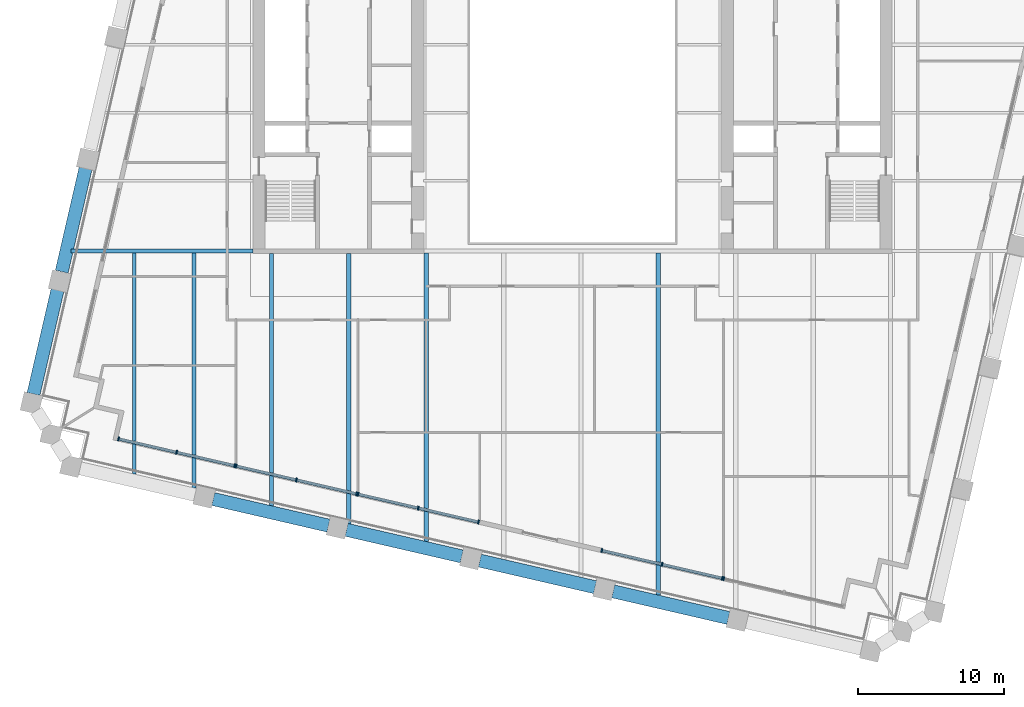
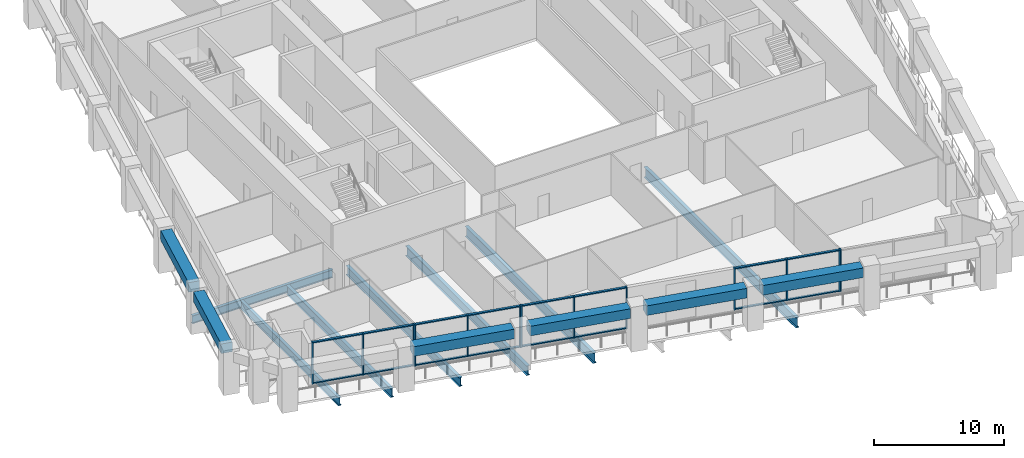
# One storey, part 2 of 12: 29 members, 13 beams, 5 elements without a shape of their own.
"""IFC4 building model written with IfcOpenShell, lengths in metres."""

import ifcopenshell
import ifcopenshell.guid

model = None  # the IFC model being written
_history = None  # IfcOwnerHistory: only IFC2X3 demands one
_inside = {}  # id of a spatial element -> (the spatial element, [elements in it])
_under = {}  # id of a project, library or spatial element -> (it, [spatial elements below it])
_declared = {}  # id of a project -> (the project, [libraries it declares])
_typed = {}  # id of a type object -> (the type object, [elements of that type])
_made_of = {}  # id of a material, layer set ... -> (it, [elements and type objects made of it])


def new_model(schema):
    """Start an empty IFC model of exactly this schema.

    Asked for "IFC4X3", IfcOpenShell would pick the latest addendum, in which some entities
    have other attributes; the version numbers below select the first issue.
    IFC2X3 requires an IfcOwnerHistory on every rooted entity: one is made here for all.
    """
    global model, _history
    if schema == "IFC4X3":
        model = ifcopenshell.file(schema_version=(4, 3, 0, 0))
    else:
        model = ifcopenshell.file(schema=schema)
    _inside.clear()
    _under.clear()
    _declared.clear()
    _typed.clear()
    _made_of.clear()
    _history = None
    if model.schema == "IFC2X3":
        org = make("IfcOrganization", Name="unknown")
        user = make(
            "IfcPersonAndOrganization",
            ThePerson=make("IfcPerson", FamilyName="unknown"),
            TheOrganization=org,
        )
        app = make(
            "IfcApplication",
            ApplicationDeveloper=org,
            Version="unknown",
            ApplicationFullName="unknown",
            ApplicationIdentifier="unknown",
        )
        _history = make(
            "IfcOwnerHistory",
            OwningUser=user,
            OwningApplication=app,
            ChangeAction="ADDED",
            CreationDate=0,
        )
    return model


def make(cls, **values):
    """One entity of the class cls with the attributes given. An attribute that is None is left unset."""
    return model.create_entity(
        cls, **{name: value for name, value in values.items() if value is not None}
    )


def rooted(cls, **values):
    """An entity with a GlobalId (a new one), such as an element, a storey or a relation."""
    return make(cls, GlobalId=ifcopenshell.guid.new(), OwnerHistory=_history, **values)


def si_unit(unit_type, name, prefix=None):
    """IfcSIUnit, for example si_unit("LENGTHUNIT", "METRE", prefix="MILLI")."""
    return make("IfcSIUnit", UnitType=unit_type, Prefix=prefix, Name=name)


def assignment(units):
    """IfcUnitAssignment: the units of a project."""
    return None if units is None else make("IfcUnitAssignment", Units=units)


def point(xyz):
    """IfcCartesianPoint."""
    return None if xyz is None else make("IfcCartesianPoint", Coordinates=xyz)


def direction(xyz):
    """IfcDirection."""
    return None if xyz is None else make("IfcDirection", DirectionRatios=xyz)


def frame(location, z_axis=None, x_axis=None):
    """IfcAxis2Placement3D, a coordinate frame: its origin and axes. An axis left out is left unset."""
    return make(
        "IfcAxis2Placement3D",
        Location=point(location),
        Axis=direction(z_axis),
        RefDirection=direction(x_axis),
    )


def frame_2d(location, x_axis=None):
    """IfcAxis2Placement2D, a coordinate frame in the plane: its origin and x axis."""
    return make(
        "IfcAxis2Placement2D", Location=point(location), RefDirection=direction(x_axis)
    )


def origin():
    """The frame at (0, 0, 0) with its axes left unset."""
    return frame((0.0, 0.0, 0.0))


def origin_2d():
    """The frame at (0, 0) in the plane with its x axis left unset."""
    return frame_2d((0.0, 0.0))


def place(relative_to, where):
    """IfcLocalPlacement: puts the frame where relative to a parent placement (None: the world)."""
    return make(
        "IfcLocalPlacement", PlacementRelTo=relative_to, RelativePlacement=where
    )


def context(
    kind, dimensions, precision=None, world=None, true_north=None, identifier=None
):
    """IfcGeometricRepresentationContext, for example the 3D "Model" context."""
    return make(
        "IfcGeometricRepresentationContext",
        ContextIdentifier=identifier,
        ContextType=kind,
        CoordinateSpaceDimension=dimensions,
        Precision=precision,
        WorldCoordinateSystem=world,
        TrueNorth=true_north,
    )


def subcontext(parent, identifier, kind, view, scale=None):
    """IfcGeometricRepresentationSubContext, for example "Body" below "Model"."""
    return make(
        "IfcGeometricRepresentationSubContext",
        ContextIdentifier=identifier,
        ContextType=kind,
        ParentContext=parent,
        TargetScale=scale,
        TargetView=view,
    )


def project(units=None, contexts=None):
    """IfcProject with its units and contexts."""
    return rooted(
        "IfcProject",
        Name="project",
        RepresentationContexts=contexts,
        UnitsInContext=assignment(units),
    )


def spatial(cls, under=None, at=None, **own):
    """A site, building, storey or space (cls), placed at a placement, below another one or the project."""
    s = rooted(cls, ObjectPlacement=at, **own)
    if under is not None:
        _under.setdefault(under.id(), (under, []))[1].append(s)
    return s


def profile(cls, at=None, kind="AREA", **sizes):
    """A parametric profile (cls). Its sizes go by their IFC names, for example OverallWidth=200.0."""
    return make(cls, ProfileType=kind, Position=at, **sizes)


def rectangle(**sizes):
    """IfcRectangleProfileDef."""
    return profile("IfcRectangleProfileDef", **sizes)


def i_section(**sizes):
    """IfcIShapeProfileDef."""
    return profile("IfcIShapeProfileDef", **sizes)


def extrude(swept, where, along, depth):
    """IfcExtrudedAreaSolid: the profile swept, set in the frame where, extruded along a direction by depth."""
    return make(
        "IfcExtrudedAreaSolid",
        SweptArea=swept,
        Position=where,
        ExtrudedDirection=direction(along),
        Depth=depth,
    )


def shape(context_of_items, identifier, shape_type, items):
    """IfcShapeRepresentation: the items that make up one representation, for example the "Body"."""
    return make(
        "IfcShapeRepresentation",
        ContextOfItems=context_of_items,
        RepresentationIdentifier=identifier,
        RepresentationType=shape_type,
        Items=items,
    )


def material(Name=None, Category=None):
    """IfcMaterial."""
    return make("IfcMaterial", Name=Name, Category=Category)


def material_profile(
    of_material, cross_section, Name=None, Category=None, Priority=None
):
    """IfcMaterialProfile: a cross section and its material."""
    return make(
        "IfcMaterialProfile",
        Name=Name,
        Material=of_material,
        Profile=cross_section,
        Priority=Priority,
        Category=Category,
    )


def profile_set(profiles, Name=None, composite=None):
    """IfcMaterialProfileSet."""
    return make(
        "IfcMaterialProfileSet",
        Name=Name,
        MaterialProfiles=profiles,
        CompositeProfile=composite,
    )


def made_of(thing, what):
    """Note that an element or type object is made of a material, layer set ...; save() writes the relation."""
    if what is not None:
        _made_of.setdefault(what.id(), (what, []))[1].append(thing)
    return thing


def type_object(cls, material=None, **own):
    """A type object (cls), such as IfcWallType, which elements share."""
    return made_of(rooted(cls, **own), material)


def element(
    cls,
    number,
    at=None,
    inside=None,
    cuts=None,
    type_object=None,
    material=None,
    context=None,
    identifier="Body",
    shape_type=None,
    held_by="IfcProductDefinitionShape",
    body=None,
    shapes=None,
    **own,
):
    """One element of the class cls, such as IfcWall. Its Tag is "e" and its number.

    at: its placement. inside: the storey or other place that contains it. cuts: it is an
    opening in that element (IfcRelVoidsElement). A single representation is given by context,
    identifier, shape_type and body (its items); several are given by shapes. held_by: the class
    of the entity that holds the representations. save() writes the other relations.
    """
    e = rooted(cls, Tag="e%d" % number, ObjectPlacement=at, **own)
    if body is not None:
        shapes = [shape(context, identifier, shape_type, body)]
    if shapes is not None:
        e.Representation = make(held_by, Representations=shapes)
    if inside is not None:
        _inside.setdefault(inside.id(), (inside, []))[1].append(e)
    if cuts is not None:
        rooted(
            "IfcRelVoidsElement", RelatingBuildingElement=cuts, RelatedOpeningElement=e
        )
    if type_object is not None:
        _typed.setdefault(type_object.id(), (type_object, []))[1].append(e)
    return made_of(e, material)


def aggregate(whole, parts):
    """IfcRelAggregates: a whole, such as a stair, and the parts it consists of."""
    return rooted("IfcRelAggregates", RelatingObject=whole, RelatedObjects=parts)


def save(model, path):
    """Write the relations noted so far, then the file.

    IfcRelAggregates (storeys below a building ...), IfcRelContainedInSpatialStructure (elements
    in a storey), IfcRelDefinesByType, IfcRelAssociatesMaterial and IfcRelDeclares: one each for
    every whole, place, type object, material and project.
    """
    for whole, parts in _under.values():
        aggregate(whole, parts)
    for where, things in _inside.values():
        rooted(
            "IfcRelContainedInSpatialStructure",
            RelatedElements=things,
            RelatingStructure=where,
        )
    for kind, things in _typed.values():
        rooted("IfcRelDefinesByType", RelatedObjects=things, RelatingType=kind)
    for what, things in _made_of.values():
        rooted("IfcRelAssociatesMaterial", RelatedObjects=things, RelatingMaterial=what)
    for by, libraries in _declared.values():
        rooted("IfcRelDeclares", RelatingContext=by, RelatedDefinitions=libraries)
    model.write(path)


model = new_model("IFC4")

# Units and contexts
model_context = context("Model", 3, precision=1e-05, world=origin(), true_north=direction((0.0, 1.0)))
body_context = subcontext(model_context, "Body", "Model", "MODEL_VIEW")
ifc_project = project(units=[si_unit("LENGTHUNIT", "METRE"), si_unit("AREAUNIT", "SQUARE_METRE"), si_unit("VOLUMEUNIT", "CUBIC_METRE"), si_unit("PLANEANGLEUNIT", "RADIAN"), si_unit("MASSUNIT", "GRAM", prefix="KILO")], contexts=[model_context])

# Site, building, storey
site_placement = place(None, origin())
site = spatial("IfcSite", under=ifc_project, at=site_placement, CompositionType="ELEMENT")
building_placement = place(site_placement, origin())
building = spatial("IfcBuilding", under=site, at=building_placement, Name="Ogive Exchange Tower", CompositionType="ELEMENT")
storey_placement = place(building_placement, frame((0.0, 0.0, 156.0)))
storey = spatial("IfcBuildingStorey", under=building, at=storey_placement, Name="L34", CompositionType="ELEMENT", Elevation=156.0)

# Curtain wall, members
ifc_material_1 = material(Name="Anodised aluminium and clear glass", Category="aluminium")
curtain_wall_type = type_object("IfcCurtainWallType", Name="Executive floor glazing", PredefinedType="NOTDEFINED", material=ifc_material_1)
curtain_wall_1_placement = place(storey_placement, origin())
curtain_wall_1 = element("IfcCurtainWall", 1, at=curtain_wall_1_placement, inside=storey, type_object=curtain_wall_type, Name="Executive floor glazing run G1", PredefinedType="NOTDEFINED")
ifc_material_2 = material(Name="Anodised aluminium", Category="aluminium")
ifc_material_profile_1 = material_profile(ifc_material_2, rectangle(XDim=0.280029296875, YDim=0.10009765625, at=origin_2d()), Name="AL 100x280")
ifc_profile_set_1 = profile_set([ifc_material_profile_1], Name="Anodised aluminium")
member_type_1 = type_object("IfcMemberType", Name="Executive floor glazing mullion 100 x 280", PredefinedType="MULLION", material=ifc_profile_set_1)
member_1_placement = place(storey_placement, frame((-31.02880859375, -15.43212890625, 0.0), z_axis=(0.0, 0.0, 1.0), x_axis=(0.224947146898, 0.974370966882, 0.0)))
member_1 = element("IfcMember", 2, at=member_1_placement, type_object=member_type_1, Name="G1 mullion 1", PredefinedType="MULLION", context=body_context, shape_type="SweptSolid", body=[
    extrude(rectangle(XDim=0.280029296875, YDim=0.10009765625, at=origin_2d()), origin(), (0.0, 0.0, 1.0), 3.89990234375),
])
member_2_placement = place(storey_placement, frame((-27.058349609375, -16.348876953125, 0.0), z_axis=(0.0, 0.0, 1.0), x_axis=(0.224947146898, 0.974370966882, 0.0)))
member_2 = element("IfcMember", 3, at=member_2_placement, type_object=member_type_1, Name="G1 mullion 2", PredefinedType="MULLION", context=body_context, shape_type="SweptSolid", body=[
    extrude(rectangle(XDim=0.280029296875, YDim=0.10009765625, at=origin_2d()), origin(), (0.0, 0.0, 1.0), 3.89990234375),
])
member_3_placement = place(storey_placement, frame((-23.087890625, -17.265380859375, 0.0), z_axis=(0.0, 0.0, 1.0), x_axis=(0.224947146898, 0.974370966882, 0.0)))
member_3 = element("IfcMember", 4, at=member_3_placement, type_object=member_type_1, Name="G1 mullion 3", PredefinedType="MULLION", context=body_context, shape_type="SweptSolid", body=[
    extrude(rectangle(XDim=0.280029296875, YDim=0.10009765625, at=origin_2d()), origin(), (0.0, 0.0, 1.0), 3.89990234375),
])

curtain_wall_2_placement = place(storey_placement, origin())
curtain_wall_2 = element("IfcCurtainWall", 5, at=curtain_wall_2_placement, inside=storey, type_object=curtain_wall_type, Name="Executive floor glazing run G2", PredefinedType="NOTDEFINED")
member_4_placement = place(storey_placement, frame((-22.990478515625, -17.287841796875, 0.0), z_axis=(0.0, 0.0, 1.0), x_axis=(0.224957737445, 0.974368521846, 0.0)))
member_4 = element("IfcMember", 6, at=member_4_placement, type_object=member_type_1, Name="G2 mullion 1", PredefinedType="MULLION", context=body_context, shape_type="SweptSolid", body=[
    extrude(rectangle(XDim=0.280029296875, YDim=0.10009765625, at=origin_2d()), origin(), (0.0, 0.0, 1.0), 3.89990234375),
])
member_5_placement = place(storey_placement, frame((-18.87353515625, -18.23828125, 0.0), z_axis=(0.0, 0.0, 1.0), x_axis=(0.224957737445, 0.974368521846, 0.0)))
member_5 = element("IfcMember", 7, at=member_5_placement, type_object=member_type_1, Name="G2 mullion 2", PredefinedType="MULLION", context=body_context, shape_type="SweptSolid", body=[
    extrude(rectangle(XDim=0.280029296875, YDim=0.10009765625, at=origin_2d()), origin(), (0.0, 0.0, 1.0), 3.89990234375),
])
member_6_placement = place(storey_placement, frame((-14.7568359375, -19.18896484375, 0.0), z_axis=(0.0, 0.0, 1.0), x_axis=(0.224957737445, 0.974368521846, 0.0)))
member_6 = element("IfcMember", 8, at=member_6_placement, type_object=member_type_1, Name="G2 mullion 3", PredefinedType="MULLION", context=body_context, shape_type="SweptSolid", body=[
    extrude(rectangle(XDim=0.280029296875, YDim=0.10009765625, at=origin_2d()), origin(), (0.0, 0.0, 1.0), 3.89990234375),
])

curtain_wall_3_placement = place(storey_placement, origin())
curtain_wall_3 = element("IfcCurtainWall", 9, at=curtain_wall_3_placement, inside=storey, type_object=curtain_wall_type, Name="Executive floor glazing run G3", PredefinedType="NOTDEFINED")
member_7_placement = place(storey_placement, frame((-14.659423828125, -19.21142578125, 0.0), z_axis=(0.0, 0.0, 1.0), x_axis=(0.224949196986, 0.974370493588, 0.0)))
member_7 = element("IfcMember", 10, at=member_7_placement, type_object=member_type_1, Name="G3 mullion 1", PredefinedType="MULLION", context=body_context, shape_type="SweptSolid", body=[
    extrude(rectangle(XDim=0.280029296875, YDim=0.10009765625, at=origin_2d()), origin(), (0.0, 0.0, 1.0), 3.89990234375),
])
member_8_placement = place(storey_placement, frame((-10.542724609375, -20.161865234375, 0.0), z_axis=(0.0, 0.0, 1.0), x_axis=(0.224949196986, 0.974370493588, 0.0)))
member_8 = element("IfcMember", 11, at=member_8_placement, type_object=member_type_1, Name="G3 mullion 2", PredefinedType="MULLION", context=body_context, shape_type="SweptSolid", body=[
    extrude(rectangle(XDim=0.280029296875, YDim=0.10009765625, at=origin_2d()), origin(), (0.0, 0.0, 1.0), 3.89990234375),
])
member_9_placement = place(storey_placement, frame((-6.426025390625, -21.112060546875, 0.0), z_axis=(0.0, 0.0, 1.0), x_axis=(0.224949196986, 0.974370493588, 0.0)))
member_9 = element("IfcMember", 12, at=member_9_placement, type_object=member_type_1, Name="G3 mullion 3", PredefinedType="MULLION", context=body_context, shape_type="SweptSolid", body=[
    extrude(rectangle(XDim=0.280029296875, YDim=0.10009765625, at=origin_2d()), origin(), (0.0, 0.0, 1.0), 3.89990234375),
])

curtain_wall_4_placement = place(storey_placement, origin())
curtain_wall_4 = element("IfcCurtainWall", 13, at=curtain_wall_4_placement, inside=storey, type_object=curtain_wall_type, Name="Executive floor glazing run G5", PredefinedType="NOTDEFINED")
member_10_placement = place(storey_placement, frame((2.002197265625, -23.057861328125, 0.0), z_axis=(0.0, 0.0, 1.0), x_axis=(0.224957737445, 0.974368521846, 0.0)))
member_10 = element("IfcMember", 14, at=member_10_placement, type_object=member_type_1, Name="G5 mullion 1", PredefinedType="MULLION", context=body_context, shape_type="SweptSolid", body=[
    extrude(rectangle(XDim=0.280029296875, YDim=0.10009765625, at=origin_2d()), origin(), (0.0, 0.0, 1.0), 3.89990234375),
])
member_11_placement = place(storey_placement, frame((6.118896484375, -24.00830078125, 0.0), z_axis=(0.0, 0.0, 1.0), x_axis=(0.224957737445, 0.974368521846, 0.0)))
member_11 = element("IfcMember", 15, at=member_11_placement, type_object=member_type_1, Name="G5 mullion 2", PredefinedType="MULLION", context=body_context, shape_type="SweptSolid", body=[
    extrude(rectangle(XDim=0.280029296875, YDim=0.10009765625, at=origin_2d()), origin(), (0.0, 0.0, 1.0), 3.89990234375),
])
member_12_placement = place(storey_placement, frame((10.235595703125, -24.958740234375, 0.0), z_axis=(0.0, 0.0, 1.0), x_axis=(0.224957737445, 0.974368521846, 0.0)))
member_12 = element("IfcMember", 16, at=member_12_placement, type_object=member_type_1, Name="G5 mullion 3", PredefinedType="MULLION", context=body_context, shape_type="SweptSolid", body=[
    extrude(rectangle(XDim=0.280029296875, YDim=0.10009765625, at=origin_2d()), origin(), (0.0, 0.0, 1.0), 3.89990234375),
])

# Curtain wall, member
curtain_wall_5_placement = place(storey_placement, origin())
curtain_wall_5 = element("IfcCurtainWall", 17, at=curtain_wall_5_placement, inside=storey, type_object=curtain_wall_type, Name="Executive floor glazing run G6", PredefinedType="NOTDEFINED")
member_13_placement = place(storey_placement, frame((10.3330078125, -24.9814453125, 0.0), z_axis=(0.0, 0.0, 1.0), x_axis=(0.224949196986, 0.974370493588, 0.0)))
member_13 = element("IfcMember", 18, at=member_13_placement, type_object=member_type_1, Name="G6 mullion 1", PredefinedType="MULLION", context=body_context, shape_type="SweptSolid", body=[
    extrude(rectangle(XDim=0.280029296875, YDim=0.10009765625, at=origin_2d()), origin(), (0.0, 0.0, 1.0), 3.89990234375),
])
aggregate(curtain_wall_5, [member_13])

# Member
ifc_material_profile_2 = material_profile(ifc_material_2, rectangle(XDim=0.199951171875, YDim=0.10009765625, at=origin_2d()), Name="AL 100x200")
ifc_profile_set_2 = profile_set([ifc_material_profile_2], Name="Anodised aluminium")
member_type_2 = type_object("IfcMemberType", Name="Executive floor glazing transom 100 x 200", PredefinedType="USERDEFINED", material=ifc_profile_set_2)
member_14_placement = place(storey_placement, frame((-30.980224609375, -15.443359375, 0.050048828125), z_axis=(0.974363238721, -0.224980619228, 0.0), x_axis=(0.224980619228, 0.974363238721, 0.0)))
member_14 = element("IfcMember", 19, at=member_14_placement, type_object=member_type_2, Name="G1 transom 1.1", ObjectType="TRANSOM", PredefinedType="USERDEFINED", context=body_context, shape_type="SweptSolid", body=[
    extrude(rectangle(XDim=0.199951171875, YDim=0.10009765625, at=origin_2d()), origin(), (0.0, 0.0, 1.0), 3.974853515625),
])

member_15_placement = place(storey_placement, frame((-30.980224609375, -15.443359375, 3.85009765625), z_axis=(0.974363238721, -0.224980619228, 0.0), x_axis=(0.224980619228, 0.974363238721, 0.0)))
member_15 = element("IfcMember", 20, at=member_15_placement, type_object=member_type_2, Name="G1 transom 1.2", ObjectType="TRANSOM", PredefinedType="USERDEFINED", context=body_context, shape_type="SweptSolid", body=[
    extrude(rectangle(XDim=0.199951171875, YDim=0.10009765625, at=origin_2d()), origin(), (0.0, 0.0, 1.0), 3.974853515625),
])

member_16_placement = place(storey_placement, frame((-27.009521484375, -16.360107421875, 0.050048828125), z_axis=(0.974376701165, -0.224922307089, 0.0), x_axis=(0.224922307089, 0.974376701165, 0.0)))
member_16 = element("IfcMember", 21, at=member_16_placement, type_object=member_type_2, Name="G1 transom 2.1", ObjectType="TRANSOM", PredefinedType="USERDEFINED", context=body_context, shape_type="SweptSolid", body=[
    extrude(rectangle(XDim=0.199951171875, YDim=0.10009765625, at=origin_2d()), origin(), (0.0, 0.0, 1.0), 3.974853515625),
])

member_17_placement = place(storey_placement, frame((-27.009521484375, -16.360107421875, 3.85009765625), z_axis=(0.974376701165, -0.224922307089, 0.0), x_axis=(0.224922307089, 0.974376701165, 0.0)))
member_17 = element("IfcMember", 22, at=member_17_placement, type_object=member_type_2, Name="G1 transom 2.2", ObjectType="TRANSOM", PredefinedType="USERDEFINED", context=body_context, shape_type="SweptSolid", body=[
    extrude(rectangle(XDim=0.199951171875, YDim=0.10009765625, at=origin_2d()), origin(), (0.0, 0.0, 1.0), 3.974853515625),
])

aggregate(curtain_wall_1, [member_1, member_2, member_3, member_14, member_15, member_16, member_17])

member_18_placement = place(storey_placement, frame((-22.941650390625, -17.29931640625, 0.050048828125), z_axis=(0.974380221837, -0.224907054788, 0.0), x_axis=(0.224907054788, 0.974380221837, 0.0)))
member_18 = element("IfcMember", 23, at=member_18_placement, type_object=member_type_2, Name="G2 transom 1.1", ObjectType="TRANSOM", PredefinedType="USERDEFINED", context=body_context, shape_type="SweptSolid", body=[
    extrude(rectangle(XDim=0.199951171875, YDim=0.10009765625, at=origin_2d()), origin(), (0.0, 0.0, 1.0), 4.125),
])

member_19_placement = place(storey_placement, frame((-22.941650390625, -17.29931640625, 3.85009765625), z_axis=(0.974380221837, -0.224907054788, 0.0), x_axis=(0.224907054788, 0.974380221837, 0.0)))
member_19 = element("IfcMember", 24, at=member_19_placement, type_object=member_type_2, Name="G2 transom 1.2", ObjectType="TRANSOM", PredefinedType="USERDEFINED", context=body_context, shape_type="SweptSolid", body=[
    extrude(rectangle(XDim=0.199951171875, YDim=0.10009765625, at=origin_2d()), origin(), (0.0, 0.0, 1.0), 4.125),
])

member_20_placement = place(storey_placement, frame((-18.824951171875, -18.249755859375, 0.050048828125), z_axis=(0.974380221837, -0.224907054788, 0.0), x_axis=(0.224907054788, 0.974380221837, 0.0)))
member_20 = element("IfcMember", 25, at=member_20_placement, type_object=member_type_2, Name="G2 transom 2.1", ObjectType="TRANSOM", PredefinedType="USERDEFINED", context=body_context, shape_type="SweptSolid", body=[
    extrude(rectangle(XDim=0.199951171875, YDim=0.10009765625, at=origin_2d()), origin(), (0.0, 0.0, 1.0), 4.125),
])

member_21_placement = place(storey_placement, frame((-18.824951171875, -18.249755859375, 3.85009765625), z_axis=(0.974380221837, -0.224907054788, 0.0), x_axis=(0.224907054788, 0.974380221837, 0.0)))
member_21 = element("IfcMember", 26, at=member_21_placement, type_object=member_type_2, Name="G2 transom 2.2", ObjectType="TRANSOM", PredefinedType="USERDEFINED", context=body_context, shape_type="SweptSolid", body=[
    extrude(rectangle(XDim=0.199951171875, YDim=0.10009765625, at=origin_2d()), origin(), (0.0, 0.0, 1.0), 4.125),
])

aggregate(curtain_wall_2, [member_4, member_5, member_6, member_18, member_19, member_20, member_21])

member_22_placement = place(storey_placement, frame((-14.61083984375, -19.22265625, 0.050048828125), z_axis=(0.974380221837, -0.224907054788, 0.0), x_axis=(0.224907054788, 0.974380221837, 0.0)))
member_22 = element("IfcMember", 27, at=member_22_placement, type_object=member_type_2, Name="G3 transom 1.1", ObjectType="TRANSOM", PredefinedType="USERDEFINED", context=body_context, shape_type="SweptSolid", body=[
    extrude(rectangle(XDim=0.199951171875, YDim=0.10009765625, at=origin_2d()), origin(), (0.0, 0.0, 1.0), 4.125),
])

member_23_placement = place(storey_placement, frame((-14.61083984375, -19.22265625, 3.85009765625), z_axis=(0.974380221837, -0.224907054788, 0.0), x_axis=(0.224907054788, 0.974380221837, 0.0)))
member_23 = element("IfcMember", 28, at=member_23_placement, type_object=member_type_2, Name="G3 transom 1.2", ObjectType="TRANSOM", PredefinedType="USERDEFINED", context=body_context, shape_type="SweptSolid", body=[
    extrude(rectangle(XDim=0.199951171875, YDim=0.10009765625, at=origin_2d()), origin(), (0.0, 0.0, 1.0), 4.125),
])

member_24_placement = place(storey_placement, frame((-10.494140625, -20.173095703125, 0.050048828125), z_axis=(0.974380221837, -0.224907054788, 0.0), x_axis=(0.224907054788, 0.974380221837, 0.0)))
member_24 = element("IfcMember", 29, at=member_24_placement, type_object=member_type_2, Name="G3 transom 2.1", ObjectType="TRANSOM", PredefinedType="USERDEFINED", context=body_context, shape_type="SweptSolid", body=[
    extrude(rectangle(XDim=0.199951171875, YDim=0.10009765625, at=origin_2d()), origin(), (0.0, 0.0, 1.0), 4.125),
])

member_25_placement = place(storey_placement, frame((-10.494140625, -20.173095703125, 3.85009765625), z_axis=(0.974380221837, -0.224907054788, 0.0), x_axis=(0.224907054788, 0.974380221837, 0.0)))
member_25 = element("IfcMember", 30, at=member_25_placement, type_object=member_type_2, Name="G3 transom 2.2", ObjectType="TRANSOM", PredefinedType="USERDEFINED", context=body_context, shape_type="SweptSolid", body=[
    extrude(rectangle(XDim=0.199951171875, YDim=0.10009765625, at=origin_2d()), origin(), (0.0, 0.0, 1.0), 4.125),
])

aggregate(curtain_wall_3, [member_7, member_8, member_9, member_22, member_23, member_24, member_25])

member_26_placement = place(storey_placement, frame((2.051025390625, -23.069091796875, 0.050048828125), z_axis=(0.974367250059, -0.224963245914, 0.0), x_axis=(0.224963245914, 0.974367250059, 0.0)))
member_26 = element("IfcMember", 31, at=member_26_placement, type_object=member_type_2, Name="G5 transom 1.1", ObjectType="TRANSOM", PredefinedType="USERDEFINED", context=body_context, shape_type="SweptSolid", body=[
    extrude(rectangle(XDim=0.199951171875, YDim=0.10009765625, at=origin_2d()), origin(), (0.0, 0.0, 1.0), 4.125),
])

member_27_placement = place(storey_placement, frame((2.051025390625, -23.069091796875, 3.85009765625), z_axis=(0.974367250059, -0.224963245914, 0.0), x_axis=(0.224963245914, 0.974367250059, 0.0)))
member_27 = element("IfcMember", 32, at=member_27_placement, type_object=member_type_2, Name="G5 transom 1.2", ObjectType="TRANSOM", PredefinedType="USERDEFINED", context=body_context, shape_type="SweptSolid", body=[
    extrude(rectangle(XDim=0.199951171875, YDim=0.10009765625, at=origin_2d()), origin(), (0.0, 0.0, 1.0), 4.125),
])

member_28_placement = place(storey_placement, frame((6.167724609375, -24.01953125, 0.050048828125), z_axis=(0.974367250059, -0.224963245914, 0.0), x_axis=(0.224963245914, 0.974367250059, 0.0)))
member_28 = element("IfcMember", 33, at=member_28_placement, type_object=member_type_2, Name="G5 transom 2.1", ObjectType="TRANSOM", PredefinedType="USERDEFINED", context=body_context, shape_type="SweptSolid", body=[
    extrude(rectangle(XDim=0.199951171875, YDim=0.10009765625, at=origin_2d()), origin(), (0.0, 0.0, 1.0), 4.125),
])

member_29_placement = place(storey_placement, frame((6.167724609375, -24.01953125, 3.85009765625), z_axis=(0.974367250059, -0.224963245914, 0.0), x_axis=(0.224963245914, 0.974367250059, 0.0)))
member_29 = element("IfcMember", 34, at=member_29_placement, type_object=member_type_2, Name="G5 transom 2.2", ObjectType="TRANSOM", PredefinedType="USERDEFINED", context=body_context, shape_type="SweptSolid", body=[
    extrude(rectangle(XDim=0.199951171875, YDim=0.10009765625, at=origin_2d()), origin(), (0.0, 0.0, 1.0), 4.125),
])

aggregate(curtain_wall_4, [member_10, member_11, member_12, member_26, member_27, member_28, member_29])

# Beams
ifc_material_3 = material(Name="Steel ASTM A992 Gr50", Category="steel")
ifc_material_profile_3 = material_profile(ifc_material_3, i_section(OverallWidth=0.300048828125, OverallDepth=0.969970703125, WebThickness=0.01611328125, FlangeThickness=0.02099609375, at=origin_2d()), Name="W1000x222")
ifc_profile_set_3 = profile_set([ifc_material_profile_3], Name="Steel ASTM A992 Gr50")
beam_type_1 = type_object("IfcBeamType", Name="Floor beam W1000x222", PredefinedType="JOIST", material=ifc_profile_set_3)
beam_1_placement = place(storey_placement, frame((-9.99951171875, -22.4423828125, -0.735107421875), z_axis=(0.0, 1.0, 0.0), x_axis=(-1.0, 0.0, 0.0)))
element("IfcBeam", 35, at=beam_1_placement, inside=storey, type_object=beam_type_1, Name="Floor beam", PredefinedType="JOIST", context=body_context, shape_type="SweptSolid", body=[
    extrude(i_section(OverallWidth=0.300048828125, OverallDepth=0.969970703125, WebThickness=0.01611328125, FlangeThickness=0.02099609375, at=origin_2d()), origin(), (0.0, 0.0, 1.0), 19.697265625),
])
ifc_material_profile_4 = material_profile(ifc_material_3, i_section(OverallWidth=0.300048828125, OverallDepth=0.97998046875, WebThickness=0.0166015625, FlangeThickness=0.026123046875, at=origin_2d()), Name="W1000x249")
ifc_profile_set_4 = profile_set([ifc_material_profile_4], Name="Steel ASTM A992 Gr50")
beam_type_2 = type_object("IfcBeamType", Name="Floor beam W1000x249", PredefinedType="JOIST", material=ifc_profile_set_4)
beam_2_placement = place(storey_placement, frame((5.86474609375, -26.10498046875, -0.739990234375), z_axis=(0.0, 1.0, 0.0), x_axis=(-1.0, 0.0, 0.0)))
element("IfcBeam", 36, at=beam_2_placement, inside=storey, type_object=beam_type_2, Name="Floor beam", PredefinedType="JOIST", context=body_context, shape_type="SweptSolid", body=[
    extrude(i_section(OverallWidth=0.300048828125, OverallDepth=0.97998046875, WebThickness=0.0166015625, FlangeThickness=0.026123046875, at=origin_2d()), origin(), (0.0, 0.0, 1.0), 23.35986328125),
])
ifc_material_profile_5 = material_profile(ifc_material_3, i_section(OverallWidth=0.26708984375, OverallDepth=0.75390625, WebThickness=0.01318359375, FlangeThickness=0.01708984375, at=origin_2d()), Name="W760x147")
ifc_profile_set_5 = profile_set([ifc_material_profile_5], Name="Steel ASTM A992 Gr50")
beam_type_3 = type_object("IfcBeamType", Name="Floor beam W760x147", PredefinedType="JOIST", material=ifc_profile_set_5)
beam_3_placement = place(storey_placement, frame((-29.9521484375, -17.8359375, -0.626953125), z_axis=(0.0, 1.0, 0.0), x_axis=(-1.0, 0.0, 0.0)))
element("IfcBeam", 37, at=beam_3_placement, inside=storey, type_object=beam_type_3, Name="Floor beam", PredefinedType="JOIST", context=body_context, shape_type="SweptSolid", body=[
    extrude(i_section(OverallWidth=0.26708984375, OverallDepth=0.75390625, WebThickness=0.01318359375, FlangeThickness=0.01708984375, at=origin_2d()), origin(), (0.0, 0.0, 1.0), 15.107421875),
])
ifc_material_profile_6 = material_profile(ifc_material_3, i_section(OverallWidth=0.2919921875, OverallDepth=0.8359375, WebThickness=0.013916015625, FlangeThickness=0.018798828125, at=origin_2d()), Name="W840x176")
ifc_profile_set_6 = profile_set([ifc_material_profile_6], Name="Steel ASTM A992 Gr50")
beam_type_4 = type_object("IfcBeamType", Name="Floor beam W840x176", PredefinedType="JOIST", material=ifc_profile_set_6)
beam_4_placement = place(storey_placement, frame((-25.864013671875, -18.77978515625, -0.66796875), z_axis=(0.0, 1.0, 0.0), x_axis=(-1.0, 0.0, 0.0)))
element("IfcBeam", 38, at=beam_4_placement, inside=storey, type_object=beam_type_4, Name="Floor beam", PredefinedType="JOIST", context=body_context, shape_type="SweptSolid", body=[
    extrude(i_section(OverallWidth=0.2919921875, OverallDepth=0.8359375, WebThickness=0.013916015625, FlangeThickness=0.018798828125, at=origin_2d()), origin(), (0.0, 0.0, 1.0), 16.05126953125),
])
beam_5_placement = place(storey_placement, frame((-20.575927734375, -20.150634765625, -0.66796875), z_axis=(0.0, 1.0, 0.0), x_axis=(-1.0, 0.0, 0.0)))
element("IfcBeam", 39, at=beam_5_placement, inside=storey, type_object=beam_type_4, Name="Floor beam", PredefinedType="JOIST", context=body_context, shape_type="SweptSolid", body=[
    extrude(i_section(OverallWidth=0.2919921875, OverallDepth=0.8359375, WebThickness=0.013916015625, FlangeThickness=0.018798828125, at=origin_2d()), origin(), (0.0, 0.0, 1.0), 17.400634765625),
])
ifc_material_profile_7 = material_profile(ifc_material_3, i_section(OverallWidth=0.304931640625, OverallDepth=0.904052734375, WebThickness=0.01513671875, FlangeThickness=0.02001953125, at=origin_2d()), Name="W920x201")
ifc_profile_set_7 = profile_set([ifc_material_profile_7], Name="Steel ASTM A992 Gr50")
beam_type_5 = type_object("IfcBeamType", Name="Floor beam W920x201", PredefinedType="JOIST", material=ifc_profile_set_7)
beam_6_placement = place(storey_placement, frame((-15.28759765625, -21.37158203125, -0.701904296875), z_axis=(0.0, 1.0, 0.0), x_axis=(-1.0, 0.0, 0.0)))
element("IfcBeam", 40, at=beam_6_placement, inside=storey, type_object=beam_type_5, Name="Floor beam", PredefinedType="JOIST", context=body_context, shape_type="SweptSolid", body=[
    extrude(i_section(OverallWidth=0.304931640625, OverallDepth=0.904052734375, WebThickness=0.01513671875, FlangeThickness=0.02001953125, at=origin_2d()), origin(), (0.0, 0.0, 1.0), 18.62158203125),
])
ifc_material_profile_8 = material_profile(ifc_material_3, i_section(OverallWidth=0.26708984375, OverallDepth=0.75390625, WebThickness=0.01318359375, FlangeThickness=0.01708984375, at=origin_2d()), Name="W760x147")
ifc_profile_set_8 = profile_set([ifc_material_profile_8], Name="Steel ASTM A992 Gr50")
beam_type_6 = type_object("IfcBeamType", Name="Girder W760x147", PredefinedType="BEAM", material=ifc_profile_set_8)
beam_7_placement = place(storey_placement, frame((-34.2705078125, -2.594970703125, -0.626953125), z_axis=(1.0, 0.0, 0.0), x_axis=(0.0, 1.0, 0.0)))
element("IfcBeam", 41, at=beam_7_placement, inside=storey, type_object=beam_type_6, Name="Header girder", PredefinedType="BEAM", context=body_context, shape_type="SweptSolid", body=[
    extrude(i_section(OverallWidth=0.26708984375, OverallDepth=0.75390625, WebThickness=0.01318359375, FlangeThickness=0.01708984375, at=origin_2d()), origin(), (0.0, 0.0, 1.0), 12.4404296875),
])
ifc_material_4 = material(Name="Precast concrete C70/85 (limestone faced)", Category="masonry")
ifc_material_profile_9 = material_profile(ifc_material_4, rectangle(XDim=0.89990234375, YDim=0.89990234375, at=origin_2d()), Name="900 x 900")
ifc_profile_set_9 = profile_set([ifc_material_profile_9], Name="Precast concrete C70/85 (limestone faced)")
beam_type_7 = type_object("IfcBeamType", Name="Precast spandrel 900 x 900 C70/85", PredefinedType="SPANDREL", material=ifc_profile_set_9)
beam_8_placement = place(storey_placement, frame((-24.557861328125, -19.543212890625, 3.5), z_axis=(0.974370337884, -0.224949871421, 0.0), x_axis=(0.224949871421, 0.974370337884, 0.0)))
element("IfcBeam", 42, at=beam_8_placement, inside=storey, type_object=beam_type_7, Name="Spandrel 2", PredefinedType="SPANDREL", context=body_context, shape_type="SweptSolid", body=[
    extrude(rectangle(XDim=0.89990234375, YDim=0.89990234375, at=origin_2d()), origin(), (0.0, 0.0, 1.0), 8.08984375),
])
beam_9_placement = place(storey_placement, frame((-15.447509765625, -21.646484375, 3.5), z_axis=(0.974371864918, -0.224943256972, 0.0), x_axis=(0.224943256972, 0.974371864918, 0.0)))
element("IfcBeam", 43, at=beam_9_placement, inside=storey, type_object=beam_type_7, Name="Spandrel 3", PredefinedType="SPANDREL", context=body_context, shape_type="SweptSolid", body=[
    extrude(rectangle(XDim=0.89990234375, YDim=0.89990234375, at=origin_2d()), origin(), (0.0, 0.0, 1.0), 8.090087890625),
])
beam_10_placement = place(storey_placement, frame((-6.337158203125, -23.749755859375, 3.5), z_axis=(0.974370337884, -0.224949871421, 0.0), x_axis=(0.224949871421, 0.974370337884, 0.0)))
element("IfcBeam", 44, at=beam_10_placement, inside=storey, type_object=beam_type_7, Name="Spandrel 4", PredefinedType="SPANDREL", context=body_context, shape_type="SweptSolid", body=[
    extrude(rectangle(XDim=0.89990234375, YDim=0.89990234375, at=origin_2d()), origin(), (0.0, 0.0, 1.0), 8.08984375),
])
beam_11_placement = place(storey_placement, frame((2.773193359375, -25.85302734375, 3.5), z_axis=(0.974371864918, -0.224943256972, 0.0), x_axis=(0.224943256972, 0.974371864918, 0.0)))
element("IfcBeam", 45, at=beam_11_placement, inside=storey, type_object=beam_type_7, Name="Spandrel 5", PredefinedType="SPANDREL", context=body_context, shape_type="SweptSolid", body=[
    extrude(rectangle(XDim=0.89990234375, YDim=0.89990234375, at=origin_2d()), origin(), (0.0, 0.0, 1.0), 8.090087890625),
])
for number, where, z_axis, x_axis, name in (
    (46, (-33.25830078125, 3.139404296875, 3.5), (-0.224949547108, -0.974370412757, 0.0), (0.974370412757, -0.224949547108, 0.0), "Spandrel 31"),
    (47, (-35.18994140625, -5.2275390625, 3.5), (-0.224981181559, -0.974363108879, 0.0), (0.974363108879, -0.224981181559, 0.0), "Spandrel 32"),
):
    element("IfcBeam", number, at=place(storey_placement, frame(where, z_axis=z_axis, x_axis=x_axis)), inside=storey, type_object=beam_type_7, Name=name, PredefinedType="SPANDREL", context=body_context, shape_type="SweptSolid", body=[
        extrude(rectangle(XDim=0.89990234375, YDim=0.89990234375, at=origin_2d()), origin(), (0.0, 0.0, 1.0), 7.326904296875),
    ])

save(model, "model.ifc")
